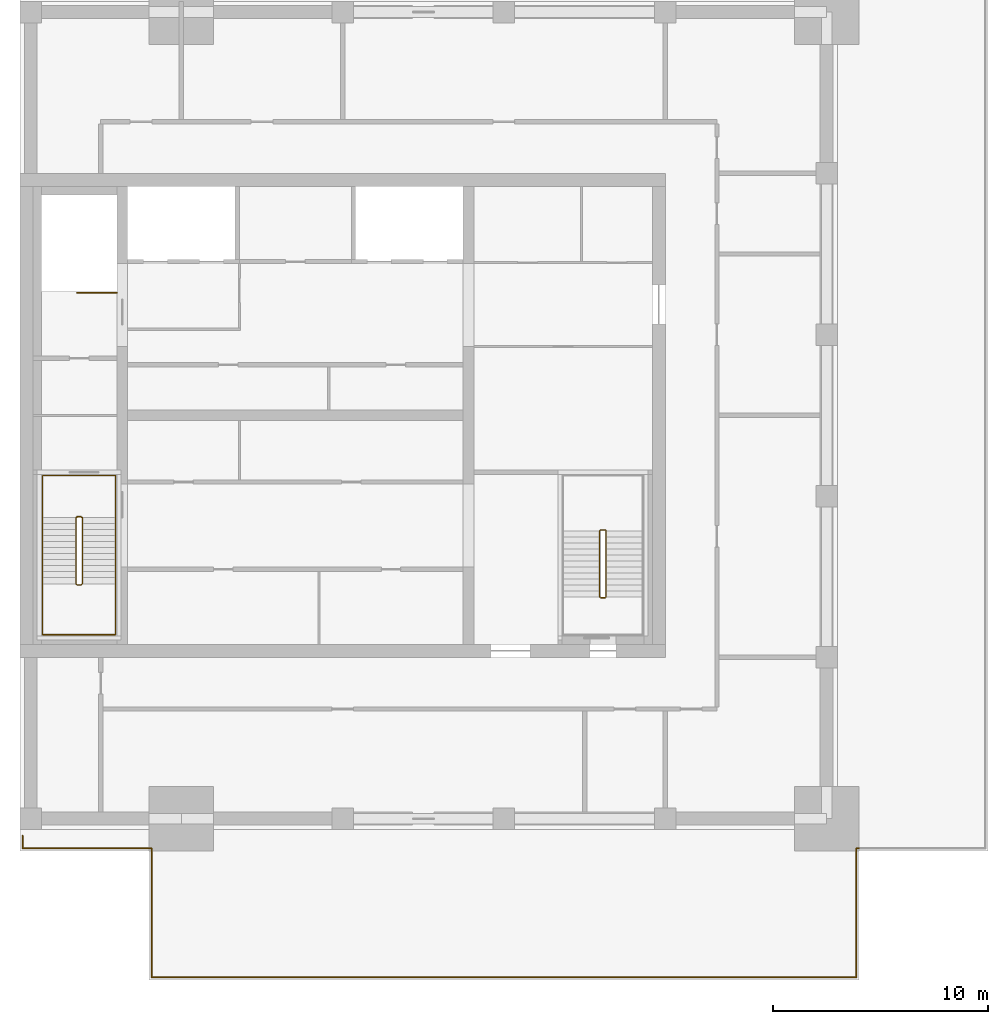
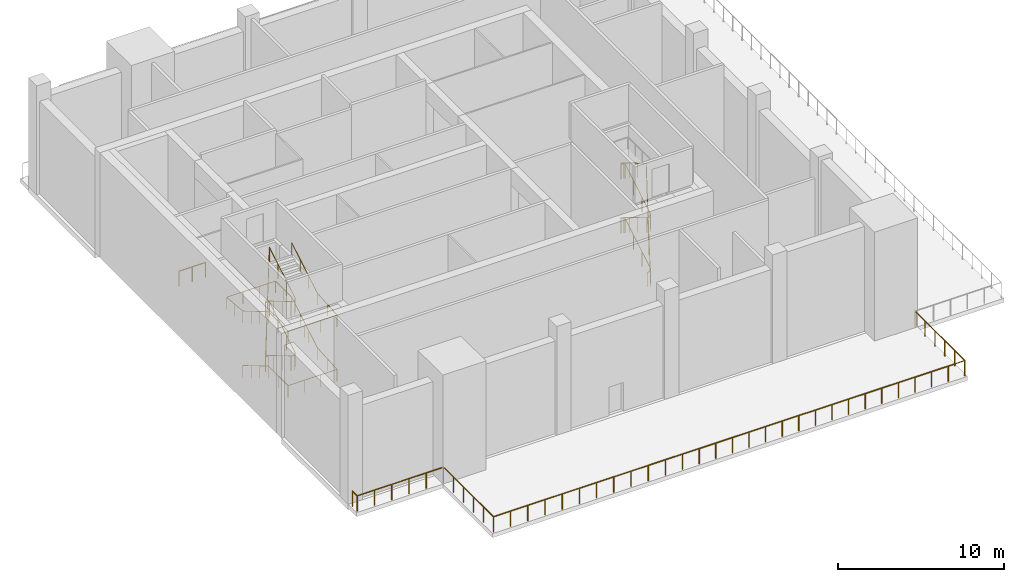
# One storey, part 6 of 7: 6 railings.
"""IFC4 building model written with IfcOpenShell, lengths in metres."""

from ifc_helpers import new_model, si_unit, direction, frame, origin, origin_2d, place, context, subcontext, project, spatial, circle, extrude, material, type_object, element, save


model = new_model("IFC4")

# Units and contexts
model_context = context("Model", 3, precision=1e-05, world=origin(), true_north=direction((0.0, 1.0)))
body_context = subcontext(model_context, "Body", "Model", "MODEL_VIEW")
ifc_project = project(units=[si_unit("LENGTHUNIT", "METRE"), si_unit("AREAUNIT", "SQUARE_METRE"), si_unit("VOLUMEUNIT", "CUBIC_METRE"), si_unit("PLANEANGLEUNIT", "RADIAN"), si_unit("MASSUNIT", "GRAM", prefix="KILO")], contexts=[model_context])

# Site, building, storey
site_placement = place(None, origin())
site = spatial("IfcSite", under=ifc_project, at=site_placement, CompositionType="ELEMENT")
building_placement = place(site_placement, origin())
building = spatial("IfcBuilding", under=site, at=building_placement, Name="Tamorin Gate", CompositionType="ELEMENT")
storey_placement = place(building_placement, frame((0.0, 0.0, 320.199951171875)))
storey = spatial("IfcBuildingStorey", under=building, at=storey_placement, Name="L78", CompositionType="ELEMENT", Elevation=320.199951171875)

# Railings
ifc_material_1 = material(Name="Painted steel balustrade", Category="steel")
railing_type_1 = type_object("IfcRailingType", Name="Stair guard 1100", PredefinedType="GUARDRAIL", material=ifc_material_1)
railing_1_placement = place(storey_placement, frame((32.60009765625, 66.5, 0.166748046875)))
element("IfcRailing", 1, at=railing_1_placement, inside=storey, type_object=railing_type_1, Name="L78 ST1 stair guard 1", PredefinedType="GUARDRAIL", context=body_context, shape_type="SweptSolid", body=[
    extrude(circle(Radius=0.02392578125, at=origin_2d()), frame((0.0, 0.0, 1.076171875), z_axis=(0.0, -0.859308565015, 0.511457515432), x_axis=(1.0, 0.0, 0.0)), (0.0, 0.0, 1.0), 3.58447265625),
    extrude(circle(Radius=0.02392578125, at=origin_2d()), frame((0.0, -3.080078125, 2.9091796875), z_axis=(0.707106781187, -0.707106781187, 0.0), x_axis=(0.707106781187, 0.707106781187, 0.0)), (0.0, 0.0, 1.0), 0.0703125),
    extrude(circle(Radius=0.02392578125, at=origin_2d()), frame((0.0498046875, -3.1298828125, 2.9091796875), z_axis=(1.0, 0.0, 0.0), x_axis=(0.0, 1.0, 0.0)), (0.0, 0.0, 1.0), 0.2001953125),
    extrude(circle(Radius=0.02392578125, at=origin_2d()), frame((0.25, -3.1298828125, 2.9091796875), z_axis=(0.275143339093, 0.275143339093, 0.92119068922), x_axis=(-0.707106781187, 0.707106781187, 0.0)), (0.0, 0.0, 1.0), 0.180908203125),
    extrude(circle(Radius=0.02392578125, at=origin_2d()), frame((0.2998046875, -3.080078125, 3.076171875), z_axis=(0.0, 0.859308565015, 0.511457515432), x_axis=(-1.0, 0.0, 0.0)), (0.0, 0.0, 1.0), 3.58447265625),
    extrude(circle(Radius=0.02392578125, at=origin_2d()), frame((0.2998046875, 0.0, 4.9091796875), z_axis=(-0.98054382908, 0.196300278283, 0.0), x_axis=(-0.196300278283, -0.98054382908, 0.0)), (0.0, 0.0, 1.0), 0.2548828125),
    extrude(circle(Radius=0.02392578125, at=origin_2d()), frame((0.0498046875, 0.050048828125, 4.9091796875), z_axis=(1.0, 0.0, 0.0), x_axis=(0.0, 1.0, 0.0)), (0.0, 0.0, 1.0), 0.2001953125),
    extrude(circle(Radius=0.02392578125, at=origin_2d()), frame((0.25, 0.050048828125, 4.9091796875), z_axis=(-0.820621892478, -0.164284656209, 0.547348391174), x_axis=(0.196300278283, -0.98054382908, 0.0)), (0.0, 0.0, 1.0), 0.3046875),
    extrude(circle(Radius=0.02392578125, at=origin_2d()), frame((0.0, 0.0, 5.076171875), z_axis=(0.0, -0.859308565015, 0.511457515432), x_axis=(1.0, 0.0, 0.0)), (0.0, 0.0, 1.0), 3.58447265625),
    extrude(circle(Radius=0.02392578125, at=origin_2d()), frame((0.0, -3.080078125, 6.9091796875), z_axis=(0.707106781187, -0.707106781187, 0.0), x_axis=(0.707106781187, 0.707106781187, 0.0)), (0.0, 0.0, 1.0), 0.0703125),
    extrude(circle(Radius=0.02392578125, at=origin_2d()), frame((0.0498046875, -3.1298828125, 6.9091796875), z_axis=(1.0, 0.0, 0.0), x_axis=(0.0, 1.0, 0.0)), (0.0, 0.0, 1.0), 0.2001953125),
    extrude(circle(Radius=0.02392578125, at=origin_2d()), frame((0.25, -3.1298828125, 6.9091796875), z_axis=(0.275143339093, 0.275143339093, 0.92119068922), x_axis=(-0.707106781187, 0.707106781187, 0.0)), (0.0, 0.0, 1.0), 0.180908203125),
    extrude(circle(Radius=0.02392578125, at=origin_2d()), frame((0.2998046875, -3.080078125, 7.076171875), z_axis=(0.0, 0.859308565015, 0.511457515432), x_axis=(-1.0, 0.0, 0.0)), (0.0, 0.0, 1.0), 3.58447265625),
    extrude(circle(Radius=0.02392578125, at=origin_2d()), frame((0.2998046875, 0.0, 8.9091796875), z_axis=(-0.031234141746, 0.006252928768, -0.999492535876), x_axis=(-0.196300278283, -0.98054382908, 0.0)), (0.0, 0.0, 1.0), 8.004150390625),
    extrude(circle(Radius=0.02392578125, at=origin_2d()), frame((0.0498046875, 0.050048828125, 0.9091796875), z_axis=(1.0, 0.0, 0.0), x_axis=(0.0, 1.0, 0.0)), (0.0, 0.0, 1.0), 0.2001953125),
    extrude(circle(Radius=0.02099609375, at=origin_2d()), origin(), (0.0, 0.0, 1.0), 1.052001953125),
    extrude(circle(Radius=0.02099609375, at=origin_2d()), frame((0.0, -1.026611328125, 0.611083984375)), (0.0, 0.0, 1.0), 1.052001953125),
    extrude(circle(Radius=0.02099609375, at=origin_2d()), frame((0.0, -2.053466796875, 1.22216796875)), (0.0, 0.0, 1.0), 1.052001953125),
    extrude(circle(Radius=0.02099609375, at=origin_2d()), frame((0.0, -3.080078125, 1.833251953125)), (0.0, 0.0, 1.0), 1.052001953125),
    extrude(circle(Radius=0.02099609375, at=origin_2d()), frame((0.0498046875, -3.1298828125, 1.833251953125)), (0.0, 0.0, 1.0), 1.052001953125),
    extrude(circle(Radius=0.02099609375, at=origin_2d()), frame((0.25, -3.1298828125, 1.833251953125)), (0.0, 0.0, 1.0), 1.052001953125),
    extrude(circle(Radius=0.02099609375, at=origin_2d()), frame((0.2998046875, -3.080078125, 2.0)), (0.0, 0.0, 1.0), 1.052001953125),
    extrude(circle(Radius=0.02099609375, at=origin_2d()), frame((0.2998046875, -2.053466796875, 2.611083984375)), (0.0, 0.0, 1.0), 1.052001953125),
    extrude(circle(Radius=0.02099609375, at=origin_2d()), frame((0.2998046875, -1.026611328125, 3.22216796875)), (0.0, 0.0, 1.0), 1.052001953125),
    extrude(circle(Radius=0.02099609375, at=origin_2d()), frame((0.2998046875, 0.0, 3.833251953125)), (0.0, 0.0, 1.0), 1.052001953125),
    extrude(circle(Radius=0.02099609375, at=origin_2d()), frame((0.0498046875, 0.050048828125, 3.833251953125)), (0.0, 0.0, 1.0), 1.052001953125),
    extrude(circle(Radius=0.02099609375, at=origin_2d()), frame((0.25, 0.050048828125, 3.833251953125)), (0.0, 0.0, 1.0), 1.052001953125),
    extrude(circle(Radius=0.02099609375, at=origin_2d()), frame((0.0, 0.0, 4.0)), (0.0, 0.0, 1.0), 1.052001953125),
    extrude(circle(Radius=0.02099609375, at=origin_2d()), frame((0.0, -1.026611328125, 4.611083984375)), (0.0, 0.0, 1.0), 1.052001953125),
    extrude(circle(Radius=0.02099609375, at=origin_2d()), frame((0.0, -2.053466796875, 5.22216796875)), (0.0, 0.0, 1.0), 1.052001953125),
    extrude(circle(Radius=0.02099609375, at=origin_2d()), frame((0.0, -3.080078125, 5.833251953125)), (0.0, 0.0, 1.0), 1.052001953125),
    extrude(circle(Radius=0.02099609375, at=origin_2d()), frame((0.0498046875, -3.1298828125, 5.833251953125)), (0.0, 0.0, 1.0), 1.052001953125),
    extrude(circle(Radius=0.02099609375, at=origin_2d()), frame((0.25, -3.1298828125, 5.833251953125)), (0.0, 0.0, 1.0), 1.052001953125),
    extrude(circle(Radius=0.02099609375, at=origin_2d()), frame((0.2998046875, -3.080078125, 6.0)), (0.0, 0.0, 1.0), 1.052001953125),
    extrude(circle(Radius=0.02099609375, at=origin_2d()), frame((0.2998046875, -2.053466796875, 6.611083984375)), (0.0, 0.0, 1.0), 1.052001953125),
    extrude(circle(Radius=0.02099609375, at=origin_2d()), frame((0.2998046875, -1.026611328125, 7.22216796875)), (0.0, 0.0, 1.0), 1.052001953125),
    extrude(circle(Radius=0.02099609375, at=origin_2d()), frame((0.2998046875, 0.0, 7.833251953125)), (0.0, 0.0, 1.0), 1.052001953125),
    extrude(circle(Radius=0.02099609375, at=origin_2d()), frame((0.26416015625, 0.007080078125, 6.6904296875)), (0.0, 0.0, 1.0), 1.052001953125),
    extrude(circle(Radius=0.02099609375, at=origin_2d()), frame((0.228271484375, 0.014404296875, 5.547607421875)), (0.0, 0.0, 1.0), 1.052001953125),
    extrude(circle(Radius=0.02099609375, at=origin_2d()), frame((0.192626953125, 0.021484375, 4.40478515625)), (0.0, 0.0, 1.0), 1.052001953125),
    extrude(circle(Radius=0.02099609375, at=origin_2d()), frame((0.156982421875, 0.028564453125, 3.26171875)), (0.0, 0.0, 1.0), 1.052001953125),
    extrude(circle(Radius=0.02099609375, at=origin_2d()), frame((0.121337890625, 0.03564453125, 2.118896484375)), (0.0, 0.0, 1.0), 1.052001953125),
    extrude(circle(Radius=0.02099609375, at=origin_2d()), frame((0.08544921875, 0.04296875, 0.97607421875)), (0.0, 0.0, 1.0), 1.052001953125),
    extrude(circle(Radius=0.02099609375, at=origin_2d()), frame((0.0498046875, 0.050048828125, -0.166748046875)), (0.0, 0.0, 1.0), 1.052001953125),
    extrude(circle(Radius=0.02099609375, at=origin_2d()), frame((0.25, 0.050048828125, -0.166748046875)), (0.0, 0.0, 1.0), 1.052001953125),
])
railing_2_placement = place(storey_placement, frame((34.5, 76.949951171875, 0.0)))
element("IfcRailing", 2, at=railing_2_placement, inside=storey, type_object=railing_type_1, Name="L78 ST2 top well guard 1", PredefinedType="GUARDRAIL", context=body_context, shape_type="SweptSolid", body=[
    extrude(circle(Radius=0.02392578125, at=origin_2d()), frame((0.0, 0.0, 1.076171875), z_axis=(-1.0, 0.0, 0.0), x_axis=(0.0, -1.0, 0.0)), (0.0, 0.0, 1.0), 1.85009765625),
    extrude(circle(Radius=0.02099609375, at=origin_2d()), origin(), (0.0, 0.0, 1.0), 1.052001953125),
    extrude(circle(Radius=0.02099609375, at=origin_2d()), frame((-0.925048828125, 0.0, 0.0)), (0.0, 0.0, 1.0), 1.052001953125),
    extrude(circle(Radius=0.02099609375, at=origin_2d()), frame((-1.85009765625, 0.0, 0.0)), (0.0, 0.0, 1.0), 1.052001953125),
])
railing_3_placement = place(storey_placement, frame((57.25, 62.800048828125, 0.166748046875)))
element("IfcRailing", 3, at=railing_3_placement, inside=storey, type_object=railing_type_1, Name="L78 ST3 stair guard 1", PredefinedType="GUARDRAIL", context=body_context, shape_type="SweptSolid", body=[
    extrude(circle(Radius=0.02392578125, at=origin_2d()), frame((0.0, 0.0, 1.076171875), z_axis=(0.0, 0.859290745958, 0.51148745235), x_axis=(-1.0, 0.0, 0.0)), (0.0, 0.0, 1.0), 3.584228515625),
    extrude(circle(Radius=0.02392578125, at=origin_2d()), frame((0.0, 3.079833984375, 2.9091796875), z_axis=(-0.707106781187, 0.707106781187, 0.0), x_axis=(-0.707106781187, -0.707106781187, 0.0)), (0.0, 0.0, 1.0), 0.07080078125),
    extrude(circle(Radius=0.02392578125, at=origin_2d()), frame((-0.050048828125, 3.1298828125, 2.9091796875), z_axis=(-1.0, 0.0, 0.0), x_axis=(0.0, -1.0, 0.0)), (0.0, 0.0, 1.0), 0.199951171875),
    extrude(circle(Radius=0.02392578125, at=origin_2d()), frame((-0.25, 3.1298828125, 2.9091796875), z_axis=(-0.27628659633, -0.27628659633, 0.920506074601), x_axis=(0.707106781187, -0.707106781187, 0.0)), (0.0, 0.0, 1.0), 0.18115234375),
    extrude(circle(Radius=0.02392578125, at=origin_2d()), frame((-0.300048828125, 3.079833984375, 3.076171875), z_axis=(0.0, -0.859290745958, 0.51148745235), x_axis=(1.0, 0.0, 0.0)), (0.0, 0.0, 1.0), 3.584228515625),
    extrude(circle(Radius=0.02392578125, at=origin_2d()), frame((-0.300048828125, 0.0, 4.9091796875), z_axis=(0.98054382908, -0.196300278283, 0.0), x_axis=(0.196300278283, 0.98054382908, 0.0)), (0.0, 0.0, 1.0), 0.2548828125),
    extrude(circle(Radius=0.02392578125, at=origin_2d()), frame((-0.050048828125, -0.050048828125, 4.9091796875), z_axis=(-1.0, 0.0, 0.0), x_axis=(0.0, -1.0, 0.0)), (0.0, 0.0, 1.0), 0.199951171875),
    extrude(circle(Radius=0.02392578125, at=origin_2d()), frame((-0.25, -0.050048828125, 4.9091796875), z_axis=(0.820621892478, 0.164284656209, 0.547348391174), x_axis=(-0.196300278283, 0.98054382908, 0.0)), (0.0, 0.0, 1.0), 0.3046875),
    extrude(circle(Radius=0.02392578125, at=origin_2d()), frame((0.0, 0.0, 5.076171875), z_axis=(0.0, 0.859290745958, 0.51148745235), x_axis=(-1.0, 0.0, 0.0)), (0.0, 0.0, 1.0), 3.584228515625),
    extrude(circle(Radius=0.02392578125, at=origin_2d()), frame((0.0, 3.079833984375, 6.9091796875), z_axis=(-0.707106781187, 0.707106781187, 0.0), x_axis=(-0.707106781187, -0.707106781187, 0.0)), (0.0, 0.0, 1.0), 0.07080078125),
    extrude(circle(Radius=0.02392578125, at=origin_2d()), frame((-0.050048828125, 3.1298828125, 6.9091796875), z_axis=(-1.0, 0.0, 0.0), x_axis=(0.0, -1.0, 0.0)), (0.0, 0.0, 1.0), 0.199951171875),
    extrude(circle(Radius=0.02392578125, at=origin_2d()), frame((-0.25, 3.1298828125, 6.9091796875), z_axis=(-0.27628659633, -0.27628659633, 0.920506074601), x_axis=(0.707106781187, -0.707106781187, 0.0)), (0.0, 0.0, 1.0), 0.18115234375),
    extrude(circle(Radius=0.02392578125, at=origin_2d()), frame((-0.300048828125, 3.079833984375, 7.076171875), z_axis=(0.0, -0.859290745958, 0.51148745235), x_axis=(1.0, 0.0, 0.0)), (0.0, 0.0, 1.0), 3.584228515625),
    extrude(circle(Radius=0.02392578125, at=origin_2d()), frame((-0.300048828125, 0.0, 8.9091796875), z_axis=(0.031234141746, -0.006252928768, -0.999492535876), x_axis=(0.196300278283, 0.98054382908, 0.0)), (0.0, 0.0, 1.0), 8.004150390625),
    extrude(circle(Radius=0.02392578125, at=origin_2d()), frame((-0.050048828125, -0.050048828125, 0.9091796875), z_axis=(-1.0, 0.0, 0.0), x_axis=(0.0, -1.0, 0.0)), (0.0, 0.0, 1.0), 0.199951171875),
    extrude(circle(Radius=0.02099609375, at=origin_2d()), origin(), (0.0, 0.0, 1.0), 1.052001953125),
    extrude(circle(Radius=0.02099609375, at=origin_2d()), frame((0.0, 1.026611328125, 0.611083984375)), (0.0, 0.0, 1.0), 1.052001953125),
    extrude(circle(Radius=0.02099609375, at=origin_2d()), frame((0.0, 2.05322265625, 1.22216796875)), (0.0, 0.0, 1.0), 1.052001953125),
    extrude(circle(Radius=0.02099609375, at=origin_2d()), frame((0.0, 3.079833984375, 1.833251953125)), (0.0, 0.0, 1.0), 1.052001953125),
    extrude(circle(Radius=0.02099609375, at=origin_2d()), frame((-0.050048828125, 3.1298828125, 1.833251953125)), (0.0, 0.0, 1.0), 1.052001953125),
    extrude(circle(Radius=0.02099609375, at=origin_2d()), frame((-0.25, 3.1298828125, 1.833251953125)), (0.0, 0.0, 1.0), 1.052001953125),
    extrude(circle(Radius=0.02099609375, at=origin_2d()), frame((-0.300048828125, 3.079833984375, 2.0)), (0.0, 0.0, 1.0), 1.052001953125),
    extrude(circle(Radius=0.02099609375, at=origin_2d()), frame((-0.300048828125, 2.05322265625, 2.611083984375)), (0.0, 0.0, 1.0), 1.052001953125),
    extrude(circle(Radius=0.02099609375, at=origin_2d()), frame((-0.300048828125, 1.026611328125, 3.22216796875)), (0.0, 0.0, 1.0), 1.052001953125),
    extrude(circle(Radius=0.02099609375, at=origin_2d()), frame((-0.300048828125, 0.0, 3.833251953125)), (0.0, 0.0, 1.0), 1.052001953125),
    extrude(circle(Radius=0.02099609375, at=origin_2d()), frame((-0.050048828125, -0.050048828125, 3.833251953125)), (0.0, 0.0, 1.0), 1.052001953125),
    extrude(circle(Radius=0.02099609375, at=origin_2d()), frame((-0.25, -0.050048828125, 3.833251953125)), (0.0, 0.0, 1.0), 1.052001953125),
    extrude(circle(Radius=0.02099609375, at=origin_2d()), frame((0.0, 0.0, 4.0)), (0.0, 0.0, 1.0), 1.052001953125),
    extrude(circle(Radius=0.02099609375, at=origin_2d()), frame((0.0, 1.026611328125, 4.611083984375)), (0.0, 0.0, 1.0), 1.052001953125),
    extrude(circle(Radius=0.02099609375, at=origin_2d()), frame((0.0, 2.05322265625, 5.22216796875)), (0.0, 0.0, 1.0), 1.052001953125),
    extrude(circle(Radius=0.02099609375, at=origin_2d()), frame((0.0, 3.079833984375, 5.833251953125)), (0.0, 0.0, 1.0), 1.052001953125),
    extrude(circle(Radius=0.02099609375, at=origin_2d()), frame((-0.050048828125, 3.1298828125, 5.833251953125)), (0.0, 0.0, 1.0), 1.052001953125),
    extrude(circle(Radius=0.02099609375, at=origin_2d()), frame((-0.25, 3.1298828125, 5.833251953125)), (0.0, 0.0, 1.0), 1.052001953125),
    extrude(circle(Radius=0.02099609375, at=origin_2d()), frame((-0.300048828125, 3.079833984375, 6.0)), (0.0, 0.0, 1.0), 1.052001953125),
    extrude(circle(Radius=0.02099609375, at=origin_2d()), frame((-0.300048828125, 2.05322265625, 6.611083984375)), (0.0, 0.0, 1.0), 1.052001953125),
    extrude(circle(Radius=0.02099609375, at=origin_2d()), frame((-0.300048828125, 1.026611328125, 7.22216796875)), (0.0, 0.0, 1.0), 1.052001953125),
    extrude(circle(Radius=0.02099609375, at=origin_2d()), frame((-0.300048828125, 0.0, 7.833251953125)), (0.0, 0.0, 1.0), 1.052001953125),
    extrude(circle(Radius=0.02099609375, at=origin_2d()), frame((-0.264404296875, -0.007080078125, 6.6904296875)), (0.0, 0.0, 1.0), 1.052001953125),
    extrude(circle(Radius=0.02099609375, at=origin_2d()), frame((-0.228515625, -0.014404296875, 5.547607421875)), (0.0, 0.0, 1.0), 1.052001953125),
    extrude(circle(Radius=0.02099609375, at=origin_2d()), frame((-0.19287109375, -0.021484375, 4.40478515625)), (0.0, 0.0, 1.0), 1.052001953125),
    extrude(circle(Radius=0.02099609375, at=origin_2d()), frame((-0.1572265625, -0.028564453125, 3.26171875)), (0.0, 0.0, 1.0), 1.052001953125),
    extrude(circle(Radius=0.02099609375, at=origin_2d()), frame((-0.12158203125, -0.03564453125, 2.118896484375)), (0.0, 0.0, 1.0), 1.052001953125),
    extrude(circle(Radius=0.02099609375, at=origin_2d()), frame((-0.085693359375, -0.04296875, 0.97607421875)), (0.0, 0.0, 1.0), 1.052001953125),
    extrude(circle(Radius=0.02099609375, at=origin_2d()), frame((-0.050048828125, -0.050048828125, -0.166748046875)), (0.0, 0.0, 1.0), 1.052001953125),
    extrude(circle(Radius=0.02099609375, at=origin_2d()), frame((-0.25, -0.050048828125, -0.166748046875)), (0.0, 0.0, 1.0), 1.052001953125),
])
ifc_material_2 = material(Name="Painted steel handrail", Category="steel")
railing_type_2 = type_object("IfcRailingType", Name="Stair handrail 900", PredefinedType="HANDRAIL", material=ifc_material_2)
railing_4_placement = place(storey_placement, frame((31.050048828125, 66.5, 0.166748046875)))
element("IfcRailing", 4, at=railing_4_placement, inside=storey, type_object=railing_type_2, Name="L78 ST1 stair handrail 1", PredefinedType="HANDRAIL", context=body_context, shape_type="SweptSolid", body=[
    extrude(circle(Radius=0.02392578125, at=origin_2d()), frame((0.0, 0.0, 0.8759765625), z_axis=(0.0, -0.859308565015, 0.511457515432), x_axis=(1.0, 0.0, 0.0)), (0.0, 0.0, 1.0), 3.58447265625),
    extrude(circle(Radius=0.02392578125, at=origin_2d()), frame((0.0, -3.080078125, 2.708984375), z_axis=(0.0, -1.0, 0.0), x_axis=(1.0, 0.0, 0.0)), (0.0, 0.0, 1.0), 2.369873046875),
    extrude(circle(Radius=0.02392578125, at=origin_2d()), frame((0.0, -5.449951171875, 2.708984375), z_axis=(1.0, 0.0, 0.0), x_axis=(0.0, 1.0, 0.0)), (0.0, 0.0, 1.0), 3.39990234375),
    extrude(circle(Radius=0.02392578125, at=origin_2d()), frame((3.39990234375, -5.449951171875, 2.708984375), z_axis=(0.0, 0.997533776475, 0.070188067305), x_axis=(-1.0, 0.0, 0.0)), (0.0, 0.0, 1.0), 2.375732421875),
    extrude(circle(Radius=0.02392578125, at=origin_2d()), frame((3.39990234375, -3.080078125, 2.8759765625), z_axis=(0.0, 0.859308565015, 0.511457515432), x_axis=(-1.0, 0.0, 0.0)), (0.0, 0.0, 1.0), 3.58447265625),
    extrude(circle(Radius=0.02392578125, at=origin_2d()), frame((3.39990234375, 0.0, 4.708984375), z_axis=(0.0, 1.0, 0.0), x_axis=(-1.0, 0.0, 0.0)), (0.0, 0.0, 1.0), 1.949951171875),
    extrude(circle(Radius=0.02392578125, at=origin_2d()), frame((3.39990234375, 1.949951171875, 4.708984375), z_axis=(-1.0, 0.0, 0.0), x_axis=(0.0, -1.0, 0.0)), (0.0, 0.0, 1.0), 3.39990234375),
    extrude(circle(Radius=0.02392578125, at=origin_2d()), frame((0.0, 1.949951171875, 4.708984375), z_axis=(0.0, -0.996363612883, 0.085202998322), x_axis=(1.0, 0.0, 0.0)), (0.0, 0.0, 1.0), 1.95703125),
    extrude(circle(Radius=0.02392578125, at=origin_2d()), frame((0.0, 0.0, 4.8759765625), z_axis=(0.0, -0.859308565015, 0.511457515432), x_axis=(1.0, 0.0, 0.0)), (0.0, 0.0, 1.0), 3.58447265625),
    extrude(circle(Radius=0.02392578125, at=origin_2d()), frame((0.0, -3.080078125, 6.708984375), z_axis=(0.0, -1.0, 0.0), x_axis=(1.0, 0.0, 0.0)), (0.0, 0.0, 1.0), 2.369873046875),
    extrude(circle(Radius=0.02392578125, at=origin_2d()), frame((0.0, -5.449951171875, 6.708984375), z_axis=(1.0, 0.0, 0.0), x_axis=(0.0, 1.0, 0.0)), (0.0, 0.0, 1.0), 3.39990234375),
    extrude(circle(Radius=0.02392578125, at=origin_2d()), frame((3.39990234375, -5.449951171875, 6.708984375), z_axis=(0.0, 0.997533776475, 0.070188067305), x_axis=(-1.0, 0.0, 0.0)), (0.0, 0.0, 1.0), 2.375732421875),
    extrude(circle(Radius=0.02392578125, at=origin_2d()), frame((3.39990234375, -3.080078125, 6.8759765625), z_axis=(0.0, 0.859308565015, 0.511457515432), x_axis=(-1.0, 0.0, 0.0)), (0.0, 0.0, 1.0), 3.58447265625),
    extrude(circle(Radius=0.02099609375, at=origin_2d()), origin(), (0.0, 0.0, 1.0), 0.851806640625),
    extrude(circle(Radius=0.02099609375, at=origin_2d()), frame((0.0, -1.026611328125, 0.611083984375)), (0.0, 0.0, 1.0), 0.851806640625),
    extrude(circle(Radius=0.02099609375, at=origin_2d()), frame((0.0, -2.053466796875, 1.22216796875)), (0.0, 0.0, 1.0), 0.851806640625),
    extrude(circle(Radius=0.02099609375, at=origin_2d()), frame((0.0, -3.080078125, 1.833251953125)), (0.0, 0.0, 1.0), 0.851806640625),
    extrude(circle(Radius=0.02099609375, at=origin_2d()), frame((0.0, -4.26513671875, 1.833251953125)), (0.0, 0.0, 1.0), 0.851806640625),
    extrude(circle(Radius=0.02099609375, at=origin_2d()), frame((0.0, -5.449951171875, 1.833251953125)), (0.0, 0.0, 1.0), 0.851806640625),
    extrude(circle(Radius=0.02099609375, at=origin_2d()), frame((1.13330078125, -5.449951171875, 1.833251953125)), (0.0, 0.0, 1.0), 0.851806640625),
    extrude(circle(Radius=0.02099609375, at=origin_2d()), frame((2.2666015625, -5.449951171875, 1.833251953125)), (0.0, 0.0, 1.0), 0.851806640625),
    extrude(circle(Radius=0.02099609375, at=origin_2d()), frame((3.39990234375, -5.449951171875, 1.833251953125)), (0.0, 0.0, 1.0), 0.851806640625),
    extrude(circle(Radius=0.02099609375, at=origin_2d()), frame((3.39990234375, -4.26513671875, 1.91650390625)), (0.0, 0.0, 1.0), 0.851806640625),
    extrude(circle(Radius=0.02099609375, at=origin_2d()), frame((3.39990234375, -3.080078125, 2.0)), (0.0, 0.0, 1.0), 0.851806640625),
    extrude(circle(Radius=0.02099609375, at=origin_2d()), frame((3.39990234375, -2.053466796875, 2.611083984375)), (0.0, 0.0, 1.0), 0.851806640625),
    extrude(circle(Radius=0.02099609375, at=origin_2d()), frame((3.39990234375, -1.026611328125, 3.22216796875)), (0.0, 0.0, 1.0), 0.851806640625),
    extrude(circle(Radius=0.02099609375, at=origin_2d()), frame((3.39990234375, 0.0, 3.833251953125)), (0.0, 0.0, 1.0), 0.851806640625),
    extrude(circle(Radius=0.02099609375, at=origin_2d()), frame((3.39990234375, 0.97509765625, 3.833251953125)), (0.0, 0.0, 1.0), 0.851806640625),
    extrude(circle(Radius=0.02099609375, at=origin_2d()), frame((3.39990234375, 1.949951171875, 3.833251953125)), (0.0, 0.0, 1.0), 0.851806640625),
    extrude(circle(Radius=0.02099609375, at=origin_2d()), frame((2.2666015625, 1.949951171875, 3.833251953125)), (0.0, 0.0, 1.0), 0.851806640625),
    extrude(circle(Radius=0.02099609375, at=origin_2d()), frame((1.13330078125, 1.949951171875, 3.833251953125)), (0.0, 0.0, 1.0), 0.851806640625),
    extrude(circle(Radius=0.02099609375, at=origin_2d()), frame((0.0, 1.949951171875, 3.833251953125)), (0.0, 0.0, 1.0), 0.851806640625),
    extrude(circle(Radius=0.02099609375, at=origin_2d()), frame((0.0, 0.97509765625, 3.91650390625)), (0.0, 0.0, 1.0), 0.851806640625),
    extrude(circle(Radius=0.02099609375, at=origin_2d()), frame((0.0, 0.0, 4.0)), (0.0, 0.0, 1.0), 0.851806640625),
    extrude(circle(Radius=0.02099609375, at=origin_2d()), frame((0.0, -1.026611328125, 4.611083984375)), (0.0, 0.0, 1.0), 0.851806640625),
    extrude(circle(Radius=0.02099609375, at=origin_2d()), frame((0.0, -2.053466796875, 5.22216796875)), (0.0, 0.0, 1.0), 0.851806640625),
    extrude(circle(Radius=0.02099609375, at=origin_2d()), frame((0.0, -3.080078125, 5.833251953125)), (0.0, 0.0, 1.0), 0.851806640625),
    extrude(circle(Radius=0.02099609375, at=origin_2d()), frame((0.0, -4.26513671875, 5.833251953125)), (0.0, 0.0, 1.0), 0.851806640625),
    extrude(circle(Radius=0.02099609375, at=origin_2d()), frame((0.0, -5.449951171875, 5.833251953125)), (0.0, 0.0, 1.0), 0.851806640625),
    extrude(circle(Radius=0.02099609375, at=origin_2d()), frame((1.13330078125, -5.449951171875, 5.833251953125)), (0.0, 0.0, 1.0), 0.851806640625),
    extrude(circle(Radius=0.02099609375, at=origin_2d()), frame((2.2666015625, -5.449951171875, 5.833251953125)), (0.0, 0.0, 1.0), 0.851806640625),
    extrude(circle(Radius=0.02099609375, at=origin_2d()), frame((3.39990234375, -5.449951171875, 5.833251953125)), (0.0, 0.0, 1.0), 0.851806640625),
    extrude(circle(Radius=0.02099609375, at=origin_2d()), frame((3.39990234375, -4.26513671875, 5.91650390625)), (0.0, 0.0, 1.0), 0.851806640625),
    extrude(circle(Radius=0.02099609375, at=origin_2d()), frame((3.39990234375, -3.080078125, 6.0)), (0.0, 0.0, 1.0), 0.851806640625),
    extrude(circle(Radius=0.02099609375, at=origin_2d()), frame((3.39990234375, -2.053466796875, 6.611083984375)), (0.0, 0.0, 1.0), 0.851806640625),
    extrude(circle(Radius=0.02099609375, at=origin_2d()), frame((3.39990234375, -1.026611328125, 7.22216796875)), (0.0, 0.0, 1.0), 0.851806640625),
    extrude(circle(Radius=0.02099609375, at=origin_2d()), frame((3.39990234375, 0.0, 7.833251953125)), (0.0, 0.0, 1.0), 0.851806640625),
])
ifc_material_3 = material(Name="Stainless steel", Category="steel")
railing_type_3 = type_object("IfcRailingType", Name="Terrace guard 1150", PredefinedType="GUARDRAIL", material=ifc_material_3)
railing_5_placement = place(storey_placement, frame((68.993408203125, 51.1201171875, 0.0)))
element("IfcRailing", 5, at=railing_5_placement, inside=storey, type_object=railing_type_3, Name="Terrace guard", PredefinedType="GUARDRAIL", context=body_context, shape_type="SweptSolid", body=[
    extrude(circle(Radius=0.02392578125, at=origin_2d()), frame((0.0, 0.0, 1.1259765625), z_axis=(-1.0, 0.0, 0.0), x_axis=(0.0, -1.0, 0.0)), (0.0, 0.0, 1.0), 0.113525390625),
    extrude(circle(Radius=0.02392578125, at=origin_2d()), frame((-0.113525390625, 0.0, 1.1259765625), z_axis=(0.0, -1.0, 0.0), x_axis=(1.0, 0.0, 0.0)), (0.0, 0.0, 1.0), 6.0),
    extrude(circle(Radius=0.02392578125, at=origin_2d()), frame((-0.113525390625, -6.0, 1.1259765625), z_axis=(-1.0, 0.0, 0.0), x_axis=(0.0, -1.0, 0.0)), (0.0, 0.0, 1.0), 19.61328125),
    extrude(circle(Radius=0.02099609375, at=origin_2d()), origin(), (0.0, 0.0, 1.0), 1.101806640625),
    extrude(circle(Radius=0.02099609375, at=origin_2d()), frame((-0.113525390625, 0.0, 0.0)), (0.0, 0.0, 1.0), 1.101806640625),
    extrude(circle(Radius=0.02099609375, at=origin_2d()), frame((-0.113525390625, -1.199951171875, 0.0)), (0.0, 0.0, 1.0), 1.101806640625),
    extrude(circle(Radius=0.02099609375, at=origin_2d()), frame((-0.113525390625, -2.39990234375, 0.0)), (0.0, 0.0, 1.0), 1.101806640625),
    extrude(circle(Radius=0.02099609375, at=origin_2d()), frame((-0.113525390625, -3.60009765625, 0.0)), (0.0, 0.0, 1.0), 1.101806640625),
    extrude(circle(Radius=0.02099609375, at=origin_2d()), frame((-0.113525390625, -4.800048828125, 0.0)), (0.0, 0.0, 1.0), 1.101806640625),
    extrude(circle(Radius=0.02099609375, at=origin_2d()), frame((-0.113525390625, -6.0, 0.0)), (0.0, 0.0, 1.0), 1.101806640625),
    extrude(circle(Radius=0.02099609375, at=origin_2d()), frame((-1.267333984375, -6.0, 0.0)), (0.0, 0.0, 1.0), 1.101806640625),
    extrude(circle(Radius=0.02099609375, at=origin_2d()), frame((-2.4208984375, -6.0, 0.0)), (0.0, 0.0, 1.0), 1.101806640625),
    extrude(circle(Radius=0.02099609375, at=origin_2d()), frame((-3.57470703125, -6.0, 0.0)), (0.0, 0.0, 1.0), 1.101806640625),
    extrude(circle(Radius=0.02099609375, at=origin_2d()), frame((-4.728515625, -6.0, 0.0)), (0.0, 0.0, 1.0), 1.101806640625),
    extrude(circle(Radius=0.02099609375, at=origin_2d()), frame((-5.882080078125, -6.0, 0.0)), (0.0, 0.0, 1.0), 1.101806640625),
    extrude(circle(Radius=0.02099609375, at=origin_2d()), frame((-7.035888671875, -6.0, 0.0)), (0.0, 0.0, 1.0), 1.101806640625),
    extrude(circle(Radius=0.02099609375, at=origin_2d()), frame((-8.189697265625, -6.0, 0.0)), (0.0, 0.0, 1.0), 1.101806640625),
    extrude(circle(Radius=0.02099609375, at=origin_2d()), frame((-9.34326171875, -6.0, 0.0)), (0.0, 0.0, 1.0), 1.101806640625),
    extrude(circle(Radius=0.02099609375, at=origin_2d()), frame((-10.4970703125, -6.0, 0.0)), (0.0, 0.0, 1.0), 1.101806640625),
    extrude(circle(Radius=0.02099609375, at=origin_2d()), frame((-11.650634765625, -6.0, 0.0)), (0.0, 0.0, 1.0), 1.101806640625),
    extrude(circle(Radius=0.02099609375, at=origin_2d()), frame((-12.804443359375, -6.0, 0.0)), (0.0, 0.0, 1.0), 1.101806640625),
    extrude(circle(Radius=0.02099609375, at=origin_2d()), frame((-13.958251953125, -6.0, 0.0)), (0.0, 0.0, 1.0), 1.101806640625),
    extrude(circle(Radius=0.02099609375, at=origin_2d()), frame((-15.11181640625, -6.0, 0.0)), (0.0, 0.0, 1.0), 1.101806640625),
    extrude(circle(Radius=0.02099609375, at=origin_2d()), frame((-16.265625, -6.0, 0.0)), (0.0, 0.0, 1.0), 1.101806640625),
    extrude(circle(Radius=0.02099609375, at=origin_2d()), frame((-17.41943359375, -6.0, 0.0)), (0.0, 0.0, 1.0), 1.101806640625),
    extrude(circle(Radius=0.02099609375, at=origin_2d()), frame((-18.572998046875, -6.0, 0.0)), (0.0, 0.0, 1.0), 1.101806640625),
    extrude(circle(Radius=0.02099609375, at=origin_2d()), frame((-19.726806640625, -6.0, 0.0)), (0.0, 0.0, 1.0), 1.101806640625),
])
railing_6_placement = place(storey_placement, frame((49.2666015625, 45.1201171875, 0.0)))
element("IfcRailing", 6, at=railing_6_placement, inside=storey, type_object=railing_type_3, Name="Terrace guard", PredefinedType="GUARDRAIL", context=body_context, shape_type="SweptSolid", body=[
    extrude(circle(Radius=0.02392578125, at=origin_2d()), frame((0.0, 0.0, 1.1259765625), z_axis=(-1.0, 0.0, 0.0), x_axis=(0.0, -1.0, 0.0)), (0.0, 0.0, 1.0), 13.146484375),
    extrude(circle(Radius=0.02392578125, at=origin_2d()), frame((-13.146484375, 0.0, 1.1259765625), z_axis=(0.0, 1.0, 0.0), x_axis=(-1.0, 0.0, 0.0)), (0.0, 0.0, 1.0), 6.0),
    extrude(circle(Radius=0.02392578125, at=origin_2d()), frame((-13.146484375, 6.0, 1.1259765625), z_axis=(-1.0, 0.0, 0.0), x_axis=(0.0, -1.0, 0.0)), (0.0, 0.0, 1.0), 6.0),
    extrude(circle(Radius=0.02392578125, at=origin_2d()), frame((-19.146484375, 6.0, 1.1259765625), z_axis=(0.0, 1.0, 0.0), x_axis=(-1.0, 0.0, 0.0)), (0.0, 0.0, 1.0), 0.579833984375),
    extrude(circle(Radius=0.02099609375, at=origin_2d()), origin(), (0.0, 0.0, 1.0), 1.101806640625),
    extrude(circle(Radius=0.02099609375, at=origin_2d()), frame((-1.195068359375, 0.0, 0.0)), (0.0, 0.0, 1.0), 1.101806640625),
    extrude(circle(Radius=0.02099609375, at=origin_2d()), frame((-2.390380859375, 0.0, 0.0)), (0.0, 0.0, 1.0), 1.101806640625),
    extrude(circle(Radius=0.02099609375, at=origin_2d()), frame((-3.58544921875, 0.0, 0.0)), (0.0, 0.0, 1.0), 1.101806640625),
    extrude(circle(Radius=0.02099609375, at=origin_2d()), frame((-4.780517578125, 0.0, 0.0)), (0.0, 0.0, 1.0), 1.101806640625),
    extrude(circle(Radius=0.02099609375, at=origin_2d()), frame((-5.9755859375, 0.0, 0.0)), (0.0, 0.0, 1.0), 1.101806640625),
    extrude(circle(Radius=0.02099609375, at=origin_2d()), frame((-7.1708984375, 0.0, 0.0)), (0.0, 0.0, 1.0), 1.101806640625),
    extrude(circle(Radius=0.02099609375, at=origin_2d()), frame((-8.365966796875, 0.0, 0.0)), (0.0, 0.0, 1.0), 1.101806640625),
    extrude(circle(Radius=0.02099609375, at=origin_2d()), frame((-9.56103515625, 0.0, 0.0)), (0.0, 0.0, 1.0), 1.101806640625),
    extrude(circle(Radius=0.02099609375, at=origin_2d()), frame((-10.756103515625, 0.0, 0.0)), (0.0, 0.0, 1.0), 1.101806640625),
    extrude(circle(Radius=0.02099609375, at=origin_2d()), frame((-11.951416015625, 0.0, 0.0)), (0.0, 0.0, 1.0), 1.101806640625),
    extrude(circle(Radius=0.02099609375, at=origin_2d()), frame((-13.146484375, 0.0, 0.0)), (0.0, 0.0, 1.0), 1.101806640625),
    extrude(circle(Radius=0.02099609375, at=origin_2d()), frame((-13.146484375, 1.199951171875, 0.0)), (0.0, 0.0, 1.0), 1.101806640625),
    extrude(circle(Radius=0.02099609375, at=origin_2d()), frame((-13.146484375, 2.39990234375, 0.0)), (0.0, 0.0, 1.0), 1.101806640625),
    extrude(circle(Radius=0.02099609375, at=origin_2d()), frame((-13.146484375, 3.60009765625, 0.0)), (0.0, 0.0, 1.0), 1.101806640625),
    extrude(circle(Radius=0.02099609375, at=origin_2d()), frame((-13.146484375, 4.800048828125, 0.0)), (0.0, 0.0, 1.0), 1.101806640625),
    extrude(circle(Radius=0.02099609375, at=origin_2d()), frame((-13.146484375, 6.0, 0.0)), (0.0, 0.0, 1.0), 1.101806640625),
    extrude(circle(Radius=0.02099609375, at=origin_2d()), frame((-14.346435546875, 6.0, 0.0)), (0.0, 0.0, 1.0), 1.101806640625),
    extrude(circle(Radius=0.02099609375, at=origin_2d()), frame((-15.54638671875, 6.0, 0.0)), (0.0, 0.0, 1.0), 1.101806640625),
    extrude(circle(Radius=0.02099609375, at=origin_2d()), frame((-16.74658203125, 6.0, 0.0)), (0.0, 0.0, 1.0), 1.101806640625),
    extrude(circle(Radius=0.02099609375, at=origin_2d()), frame((-17.946533203125, 6.0, 0.0)), (0.0, 0.0, 1.0), 1.101806640625),
    extrude(circle(Radius=0.02099609375, at=origin_2d()), frame((-19.146484375, 6.0, 0.0)), (0.0, 0.0, 1.0), 1.101806640625),
    extrude(circle(Radius=0.02099609375, at=origin_2d()), frame((-19.146484375, 6.579833984375, 0.0)), (0.0, 0.0, 1.0), 1.101806640625),
])

save(model, "model.ifc")
